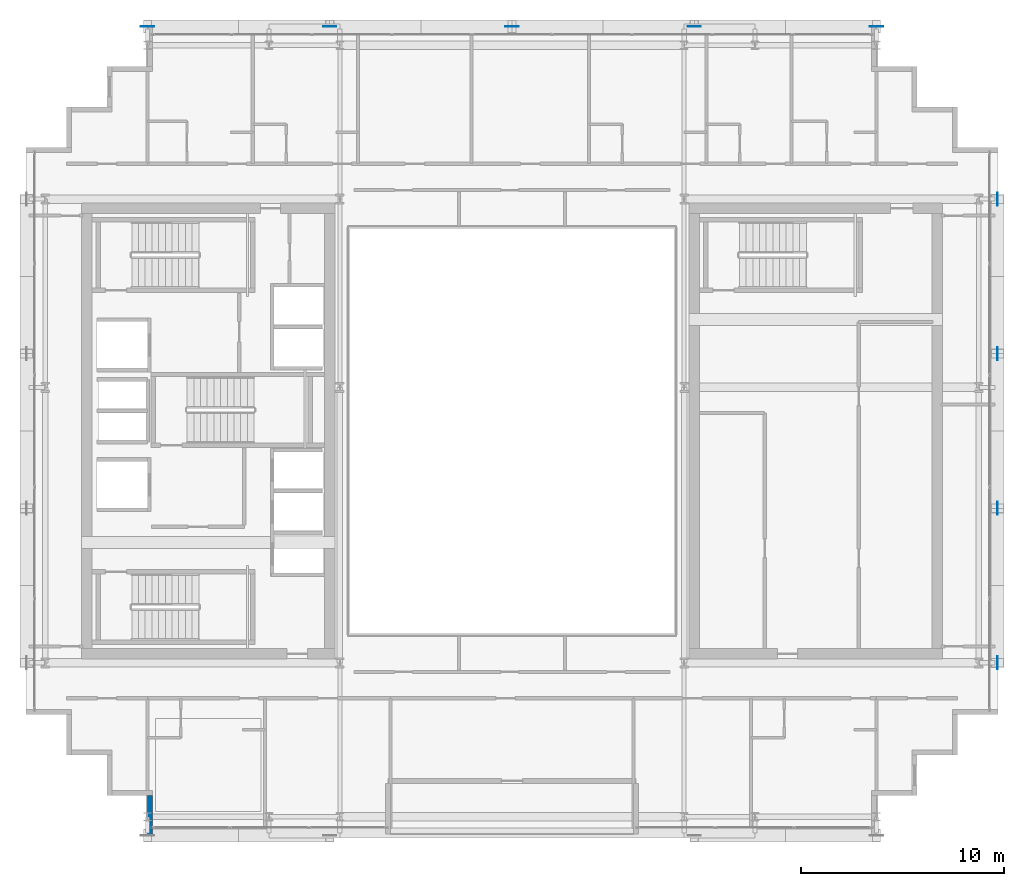
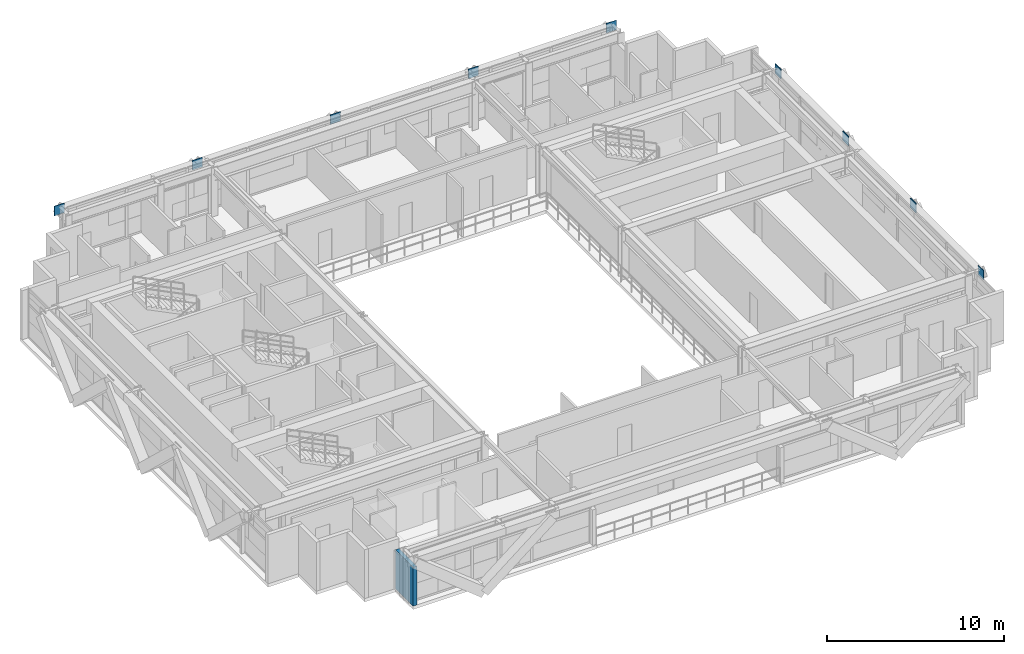
# One storey, part 23 of 32: 9 plates, 1 wall.
"""IFC4 building model written with IfcOpenShell, lengths in metres."""

from ifc_helpers import new_model, si_unit, direction, frame, frame_2d, origin, origin_2d, place, context, subcontext, project, spatial, rectangle, extrude, source, transform, mapped, material, layer, layer_set, type_object, element, save


model = new_model("IFC4")

# Units and contexts
model_context = context("Model", 3, precision=1e-05, world=origin(), true_north=direction((0.0, 1.0)))
body_context = subcontext(model_context, "Body", "Model", "MODEL_VIEW")
ifc_project = project(units=[si_unit("LENGTHUNIT", "METRE"), si_unit("AREAUNIT", "SQUARE_METRE"), si_unit("VOLUMEUNIT", "CUBIC_METRE"), si_unit("PLANEANGLEUNIT", "RADIAN"), si_unit("MASSUNIT", "GRAM", prefix="KILO")], contexts=[model_context])

# Site, building, storey
site_placement = place(None, origin())
site = spatial("IfcSite", under=ifc_project, at=site_placement, CompositionType="ELEMENT")
building_placement = place(site_placement, origin())
building = spatial("IfcBuilding", under=site, at=building_placement, Name="Ocotamira Hotel", CompositionType="ELEMENT")
storey_placement = place(building_placement, frame((0.0, 0.0, 184.800048828125)))
storey = spatial("IfcBuildingStorey", under=building, at=storey_placement, Name="L46", CompositionType="ELEMENT", Elevation=184.800048828125)

# Plates
ifc_material_1 = material(Name="Pale-metal coated steel ASTM A572 Grade 50", Category="steel")
ifc_layer_1 = layer(ifc_material_1, 0.0400390625)
ifc_layer_set_1 = layer_set([ifc_layer_1], Name="Pale-metal coated steel ASTM A572 Grade 50")
plate_type = type_object("IfcPlateType", Name="PLT-GUSSET-40", PredefinedType="SHEET", material=ifc_layer_set_1)
shared_shape_1 = source(origin(), body_context, "Body", "SweptSolid", [
    extrude(rectangle(XDim=0.64990234375, YDim=0.0400390625, at=origin_2d()), origin(), (0.0, 0.0, 1.0), 0.64990234375),
])
for number, where, z_axis, x_axis, name in (
    (1, (14.0, 45.969970703125, 2.794921875), (0.0, 0.0, 1.0), (-1.0, 0.0, 0.0), "L46 Exoskeleton Diagrid N0.1 End Gusset B"),
    (2, (23.0, 45.969970703125, 2.794921875), (0.0, 0.0, 1.0), (1.0, 0.0, 0.0), "L46 Exoskeleton Diagrid N0.2 End Gusset B"),
    (3, (32.0, 45.969970703125, 2.794921875), (0.0, 0.0, 1.0), (1.0, 0.0, 0.0), "L46 Exoskeleton Diagrid N1.2 End Gusset B"),
    (4, (41.0, 45.969970703125, 2.794921875), (0.0, 0.0, 1.0), (1.0, 0.0, 0.0), "L46 Exoskeleton Diagrid N2.2 End Gusset B"),
    (5, (50.0, 45.969970703125, 2.794921875), (0.0, 0.0, 1.0), (1.0, 0.0, 0.0), "L46 Exoskeleton Diagrid N3.2 End Gusset B"),
):
    element("IfcPlate", number, at=place(storey_placement, frame(where, z_axis=z_axis, x_axis=x_axis)), inside=storey, type_object=plate_type, Name=name, PredefinedType="SHEET", context=body_context, shape_type="MappedRepresentation", body=[
        mapped(shared_shape_1, transform((0.0, 0.0, 0.0), scale=1.0)),
    ])
shared_shape_2 = source(origin(), body_context, "Body", "SweptSolid", [
    extrude(rectangle(XDim=0.0400390625, YDim=0.64990234375, at=origin_2d()), origin(), (0.0, 0.0, 1.0), 0.64990234375),
])
for number, where, z_axis, x_axis, name in (
    (6, (55.969970703125, 14.550048828125, 2.794921875), (0.0, 0.0, 1.0), (1.0, 0.0, 0.0), "L46 Exoskeleton Diagrid E0.1 End Gusset B"),
    (7, (55.969970703125, 22.183349609375, 2.794921875), (0.0, 0.0, 1.0), (1.0, 0.0, 0.0), "L46 Exoskeleton Diagrid E0.2 End Gusset B"),
    (8, (55.969970703125, 29.816650390625, 2.794921875), (0.0, 0.0, 1.0), (1.0, 0.0, 0.0), "L46 Exoskeleton Diagrid E1.2 End Gusset B"),
    (9, (55.969970703125, 37.449951171875, 2.794921875), (0.0, 0.0, 1.0), (1.0, 0.0, 0.0), "L46 Exoskeleton Diagrid E2.2 End Gusset B"),
):
    element("IfcPlate", number, at=place(storey_placement, frame(where, z_axis=z_axis, x_axis=x_axis)), inside=storey, type_object=plate_type, Name=name, PredefinedType="SHEET", context=body_context, shape_type="MappedRepresentation", body=[
        mapped(shared_shape_2, transform((0.0, 0.0, 0.0), scale=1.0)),
    ])

# Wall
ifc_material_2 = material(Name="Precast concrete C45/55", Category="concrete")
ifc_layer_2 = layer(ifc_material_2, 0.25)
ifc_layer_set_2 = layer_set([ifc_layer_2], Name="Precast concrete C45/55")
wall_type = type_object("IfcWallType", Name="WL-EXT-SER-250", PredefinedType="SOLIDWALL", material=ifc_layer_set_2)
wall_placement = place(storey_placement, frame((14.125, 8.0, 0.0), z_axis=(0.0, 0.0, 1.0), x_axis=(0.0, -1.0, 0.0)))
element("IfcWall", 10, at=wall_placement, inside=storey, type_object=wall_type, Name="L46 Serrated Corner Wall 24", PredefinedType="SOLIDWALL", context=body_context, shape_type="SweptSolid", body=[
    extrude(rectangle(XDim=2.0, YDim=0.25, at=frame_2d((1.0, 0.0))), origin(), (0.0, 0.0, 1.0), 2.677001953125),
])

save(model, "model.ifc")
